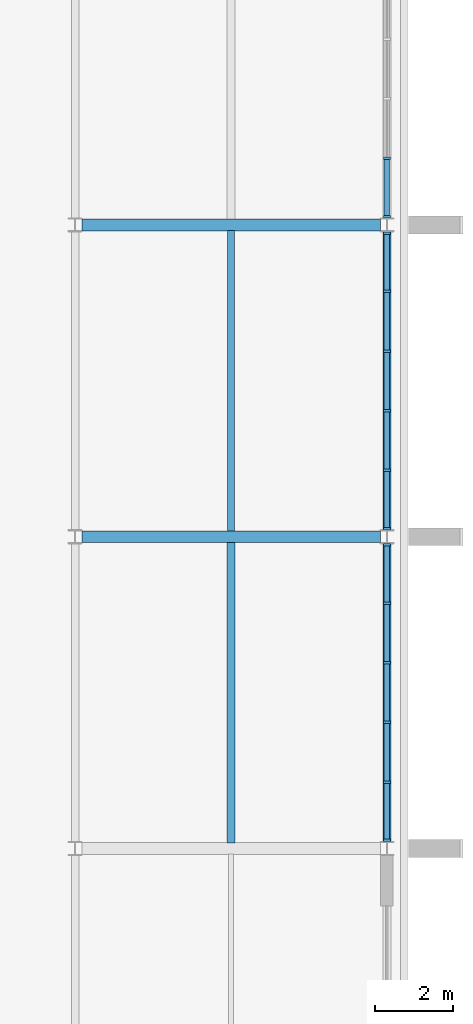
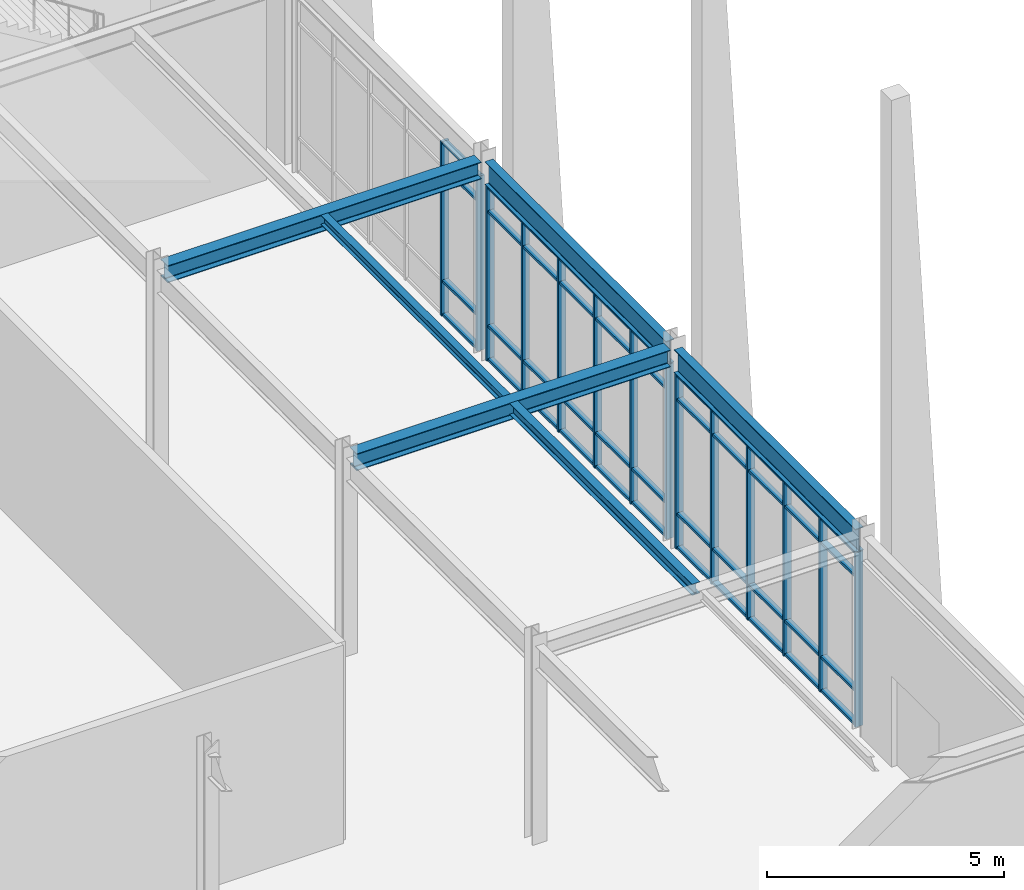
# One storey, part 49 of 119: 58 members, 6 beams, 3 elements without a shape of their own.
"""IFC4 building model written with IfcOpenShell, lengths in metres."""

from ifc_helpers import new_model, si_unit, direction, frame, origin, origin_2d, place, context, subcontext, project, spatial, rectangle, i_section, extrude, material, material_profile, profile_set, type_object, element, aggregate, save


model = new_model("IFC4")

# Units and contexts
model_context = context("Model", 3, precision=1e-05, world=origin(), true_north=direction((0.0, 1.0)))
body_context = subcontext(model_context, "Body", "Model", "MODEL_VIEW")
ifc_project = project(units=[si_unit("LENGTHUNIT", "METRE"), si_unit("AREAUNIT", "SQUARE_METRE"), si_unit("VOLUMEUNIT", "CUBIC_METRE"), si_unit("PLANEANGLEUNIT", "RADIAN"), si_unit("MASSUNIT", "GRAM", prefix="KILO")], contexts=[model_context])

# Site, building, storey
site_placement = place(None, origin())
site = spatial("IfcSite", under=ifc_project, at=site_placement, CompositionType="ELEMENT")
building_placement = place(site_placement, origin())
building = spatial("IfcBuilding", under=site, at=building_placement, Name="Zhaolan Boulevard Law Courts", CompositionType="ELEMENT")
storey_placement = place(building_placement, origin())
storey = spatial("IfcBuildingStorey", under=building, at=storey_placement, Name="L00", CompositionType="ELEMENT", Elevation=0.0)

# Curtain wall, members
ifc_material_1 = material(Name="Thermally broken aluminium and low-E glazing", Category="aluminium")
curtain_wall_type_1 = type_object("IfcCurtainWallType", Name="CURTAIN WALL M9", PredefinedType="USERDEFINED", material=ifc_material_1)
curtain_wall_1_placement = place(storey_placement, origin())
curtain_wall_1 = element("IfcCurtainWall", 1, at=curtain_wall_1_placement, inside=storey, type_object=curtain_wall_type_1, Name="Curtain Wall CW-L00-009", ObjectType="CURTAIN WALL", PredefinedType="USERDEFINED")
ifc_material_2 = material(Name="Fluorocarbon-coated aluminium 6063-T6", Category="aluminium")
ifc_material_profile_1 = material_profile(ifc_material_2, rectangle(XDim=0.179931640625, YDim=0.06494140625, at=origin_2d()), Name="AL65x180")
ifc_profile_set_1 = profile_set([ifc_material_profile_1], Name="Fluorocarbon-coated aluminium 6063-T6")
member_type_1 = type_object("IfcMemberType", Name="CWMULLION 65X180", PredefinedType="MULLION", material=ifc_profile_set_1)
member_1_placement = place(storey_placement, frame((164.0, 14.20947265625, 0.0), z_axis=(0.0, 0.0, 1.0), x_axis=(-1.0, 0.0, 0.0)))
member_1 = element("IfcMember", 2, at=member_1_placement, type_object=member_type_1, Name="CW-L00-009 mullion 1", PredefinedType="MULLION", context=body_context, shape_type="SweptSolid", body=[
    extrude(rectangle(XDim=0.179931640625, YDim=0.06494140625, at=origin_2d()), origin(), (0.0, 0.0, 1.0), 4.5029296875),
])
member_2_placement = place(storey_placement, frame((164.0, 15.706298828125, 0.0), z_axis=(0.0, 0.0, 1.0), x_axis=(-1.0, 0.0, 0.0)))
member_2 = element("IfcMember", 3, at=member_2_placement, type_object=member_type_1, Name="CW-L00-009 mullion 2", PredefinedType="MULLION", context=body_context, shape_type="SweptSolid", body=[
    extrude(rectangle(XDim=0.179931640625, YDim=0.06494140625, at=origin_2d()), origin(), (0.0, 0.0, 1.0), 4.5029296875),
])
member_3_placement = place(storey_placement, frame((164.0, 17.2353515625, 0.0), z_axis=(0.0, 0.0, 1.0), x_axis=(-1.0, 0.0, 0.0)))
member_3 = element("IfcMember", 4, at=member_3_placement, type_object=member_type_1, Name="CW-L00-009 mullion 3", PredefinedType="MULLION", context=body_context, shape_type="SweptSolid", body=[
    extrude(rectangle(XDim=0.179931640625, YDim=0.06494140625, at=origin_2d()), origin(), (0.0, 0.0, 1.0), 4.5029296875),
])
member_4_placement = place(storey_placement, frame((164.0, 18.7646484375, 0.0), z_axis=(0.0, 0.0, 1.0), x_axis=(-1.0, 0.0, 0.0)))
member_4 = element("IfcMember", 5, at=member_4_placement, type_object=member_type_1, Name="CW-L00-009 mullion 4", PredefinedType="MULLION", context=body_context, shape_type="SweptSolid", body=[
    extrude(rectangle(XDim=0.179931640625, YDim=0.06494140625, at=origin_2d()), origin(), (0.0, 0.0, 1.0), 4.5029296875),
])
member_5_placement = place(storey_placement, frame((164.0, 20.293701171875, 0.0), z_axis=(0.0, 0.0, 1.0), x_axis=(-1.0, 0.0, 0.0)))
member_5 = element("IfcMember", 6, at=member_5_placement, type_object=member_type_1, Name="CW-L00-009 mullion 5", PredefinedType="MULLION", context=body_context, shape_type="SweptSolid", body=[
    extrude(rectangle(XDim=0.179931640625, YDim=0.06494140625, at=origin_2d()), origin(), (0.0, 0.0, 1.0), 4.5029296875),
])
member_6_placement = place(storey_placement, frame((164.0, 21.79052734375, 0.0), z_axis=(0.0, 0.0, 1.0), x_axis=(-1.0, 0.0, 0.0)))
member_6 = element("IfcMember", 7, at=member_6_placement, type_object=member_type_1, Name="CW-L00-009 mullion 6", PredefinedType="MULLION", context=body_context, shape_type="SweptSolid", body=[
    extrude(rectangle(XDim=0.179931640625, YDim=0.06494140625, at=origin_2d()), origin(), (0.0, 0.0, 1.0), 4.5029296875),
])

ifc_material_3 = material(Name="Thermally broken aluminium and low-E glazing", Category="aluminium")
curtain_wall_type_2 = type_object("IfcCurtainWallType", Name="CURTAIN WALL M10", PredefinedType="USERDEFINED", material=ifc_material_3)
curtain_wall_2_placement = place(storey_placement, origin())
curtain_wall_2 = element("IfcCurtainWall", 8, at=curtain_wall_2_placement, inside=storey, type_object=curtain_wall_type_2, Name="Curtain Wall CW-L00-010", ObjectType="CURTAIN WALL", PredefinedType="USERDEFINED")
member_7_placement = place(storey_placement, frame((164.0, 22.20947265625, 0.0), z_axis=(0.0, 0.0, 1.0), x_axis=(-1.0, 0.0, 0.0)))
member_7 = element("IfcMember", 9, at=member_7_placement, type_object=member_type_1, Name="CW-L00-010 mullion 1", PredefinedType="MULLION", context=body_context, shape_type="SweptSolid", body=[
    extrude(rectangle(XDim=0.179931640625, YDim=0.06494140625, at=origin_2d()), origin(), (0.0, 0.0, 1.0), 4.5029296875),
])
member_8_placement = place(storey_placement, frame((164.0, 23.706298828125, 0.0), z_axis=(0.0, 0.0, 1.0), x_axis=(-1.0, 0.0, 0.0)))
member_8 = element("IfcMember", 10, at=member_8_placement, type_object=member_type_1, Name="CW-L00-010 mullion 2", PredefinedType="MULLION", context=body_context, shape_type="SweptSolid", body=[
    extrude(rectangle(XDim=0.179931640625, YDim=0.06494140625, at=origin_2d()), origin(), (0.0, 0.0, 1.0), 4.5029296875),
])
member_9_placement = place(storey_placement, frame((164.0, 25.2353515625, 0.0), z_axis=(0.0, 0.0, 1.0), x_axis=(-1.0, 0.0, 0.0)))
member_9 = element("IfcMember", 11, at=member_9_placement, type_object=member_type_1, Name="CW-L00-010 mullion 3", PredefinedType="MULLION", context=body_context, shape_type="SweptSolid", body=[
    extrude(rectangle(XDim=0.179931640625, YDim=0.06494140625, at=origin_2d()), origin(), (0.0, 0.0, 1.0), 4.5029296875),
])
member_10_placement = place(storey_placement, frame((164.0, 26.7646484375, 0.0), z_axis=(0.0, 0.0, 1.0), x_axis=(-1.0, 0.0, 0.0)))
member_10 = element("IfcMember", 12, at=member_10_placement, type_object=member_type_1, Name="CW-L00-010 mullion 4", PredefinedType="MULLION", context=body_context, shape_type="SweptSolid", body=[
    extrude(rectangle(XDim=0.179931640625, YDim=0.06494140625, at=origin_2d()), origin(), (0.0, 0.0, 1.0), 4.5029296875),
])
member_11_placement = place(storey_placement, frame((164.0, 28.293701171875, 0.0), z_axis=(0.0, 0.0, 1.0), x_axis=(-1.0, 0.0, 0.0)))
member_11 = element("IfcMember", 13, at=member_11_placement, type_object=member_type_1, Name="CW-L00-010 mullion 5", PredefinedType="MULLION", context=body_context, shape_type="SweptSolid", body=[
    extrude(rectangle(XDim=0.179931640625, YDim=0.06494140625, at=origin_2d()), origin(), (0.0, 0.0, 1.0), 4.5029296875),
])
member_12_placement = place(storey_placement, frame((164.0, 29.79052734375, 0.0), z_axis=(0.0, 0.0, 1.0), x_axis=(-1.0, 0.0, 0.0)))
member_12 = element("IfcMember", 14, at=member_12_placement, type_object=member_type_1, Name="CW-L00-010 mullion 6", PredefinedType="MULLION", context=body_context, shape_type="SweptSolid", body=[
    extrude(rectangle(XDim=0.179931640625, YDim=0.06494140625, at=origin_2d()), origin(), (0.0, 0.0, 1.0), 4.5029296875),
])

ifc_material_4 = material(Name="Thermally broken aluminium and low-E glazing", Category="aluminium")
curtain_wall_type_3 = type_object("IfcCurtainWallType", Name="CURTAIN WALL M11", PredefinedType="USERDEFINED", material=ifc_material_4)
curtain_wall_3_placement = place(storey_placement, origin())
curtain_wall_3 = element("IfcCurtainWall", 15, at=curtain_wall_3_placement, inside=storey, type_object=curtain_wall_type_3, Name="Curtain Wall CW-L00-011", ObjectType="CURTAIN WALL", PredefinedType="USERDEFINED")
member_13_placement = place(storey_placement, frame((164.0, 30.20947265625, 0.0), z_axis=(0.0, 0.0, 1.0), x_axis=(-1.0, 0.0, 0.0)))
member_13 = element("IfcMember", 16, at=member_13_placement, type_object=member_type_1, Name="CW-L00-011 mullion 1", PredefinedType="MULLION", context=body_context, shape_type="SweptSolid", body=[
    extrude(rectangle(XDim=0.179931640625, YDim=0.06494140625, at=origin_2d()), origin(), (0.0, 0.0, 1.0), 4.5029296875),
])
member_14_placement = place(storey_placement, frame((164.0, 31.706298828125, 0.0), z_axis=(0.0, 0.0, 1.0), x_axis=(-1.0, 0.0, 0.0)))
member_14 = element("IfcMember", 17, at=member_14_placement, type_object=member_type_1, Name="CW-L00-011 mullion 2", PredefinedType="MULLION", context=body_context, shape_type="SweptSolid", body=[
    extrude(rectangle(XDim=0.179931640625, YDim=0.06494140625, at=origin_2d()), origin(), (0.0, 0.0, 1.0), 4.5029296875),
])

# Member
ifc_material_5 = material(Name="Fluorocarbon-coated aluminium 6063-T6", Category="aluminium")
ifc_material_profile_2 = material_profile(ifc_material_5, rectangle(XDim=0.139892578125, YDim=0.06494140625, at=origin_2d()), Name="AL65x140")
ifc_profile_set_2 = profile_set([ifc_material_profile_2], Name="Fluorocarbon-coated aluminium 6063-T6")
member_type_2 = type_object("IfcMemberType", Name="CWTRANSOM 65X140", PredefinedType="USERDEFINED", material=ifc_profile_set_2)
member_15_placement = place(storey_placement, frame((164.0, 14.241943359375, 0.032470703125), z_axis=(0.0, 1.0, 0.0), x_axis=(-1.0, 0.0, 0.0)))
member_15 = element("IfcMember", 18, at=member_15_placement, type_object=member_type_2, Name="CW-L00-009 transom 1.1", ObjectType="TRANSOM", PredefinedType="USERDEFINED", context=body_context, shape_type="SweptSolid", body=[
    extrude(rectangle(XDim=0.139892578125, YDim=0.06494140625, at=origin_2d()), origin(), (0.0, 0.0, 1.0), 1.431640625),
])

member_16_placement = place(storey_placement, frame((164.0, 14.241943359375, 0.89990234375), z_axis=(0.0, 1.0, 0.0), x_axis=(-1.0, 0.0, 0.0)))
member_16 = element("IfcMember", 19, at=member_16_placement, type_object=member_type_2, Name="CW-L00-009 transom 1.2", ObjectType="TRANSOM", PredefinedType="USERDEFINED", context=body_context, shape_type="SweptSolid", body=[
    extrude(rectangle(XDim=0.139892578125, YDim=0.06494140625, at=origin_2d()), origin(), (0.0, 0.0, 1.0), 1.431640625),
])

member_17_placement = place(storey_placement, frame((164.0, 14.241943359375, 3.85302734375), z_axis=(0.0, 1.0, 0.0), x_axis=(-1.0, 0.0, 0.0)))
member_17 = element("IfcMember", 20, at=member_17_placement, type_object=member_type_2, Name="CW-L00-009 transom 1.3", ObjectType="TRANSOM", PredefinedType="USERDEFINED", context=body_context, shape_type="SweptSolid", body=[
    extrude(rectangle(XDim=0.139892578125, YDim=0.06494140625, at=origin_2d()), origin(), (0.0, 0.0, 1.0), 1.431640625),
])

member_18_placement = place(storey_placement, frame((164.0, 14.241943359375, 4.470458984375), z_axis=(0.0, 1.0, 0.0), x_axis=(-1.0, 0.0, 0.0)))
member_18 = element("IfcMember", 21, at=member_18_placement, type_object=member_type_2, Name="CW-L00-009 transom 1.4", ObjectType="TRANSOM", PredefinedType="USERDEFINED", context=body_context, shape_type="SweptSolid", body=[
    extrude(rectangle(XDim=0.139892578125, YDim=0.06494140625, at=origin_2d()), origin(), (0.0, 0.0, 1.0), 1.431640625),
])

member_19_placement = place(storey_placement, frame((164.0, 15.73876953125, 0.032470703125), z_axis=(0.0, 1.0, 0.0), x_axis=(-1.0, 0.0, 0.0)))
member_19 = element("IfcMember", 22, at=member_19_placement, type_object=member_type_2, Name="CW-L00-009 transom 2.1", ObjectType="TRANSOM", PredefinedType="USERDEFINED", context=body_context, shape_type="SweptSolid", body=[
    extrude(rectangle(XDim=0.139892578125, YDim=0.06494140625, at=origin_2d()), origin(), (0.0, 0.0, 1.0), 1.464111328125),
])

member_20_placement = place(storey_placement, frame((164.0, 15.73876953125, 0.89990234375), z_axis=(0.0, 1.0, 0.0), x_axis=(-1.0, 0.0, 0.0)))
member_20 = element("IfcMember", 23, at=member_20_placement, type_object=member_type_2, Name="CW-L00-009 transom 2.2", ObjectType="TRANSOM", PredefinedType="USERDEFINED", context=body_context, shape_type="SweptSolid", body=[
    extrude(rectangle(XDim=0.139892578125, YDim=0.06494140625, at=origin_2d()), origin(), (0.0, 0.0, 1.0), 1.464111328125),
])

member_21_placement = place(storey_placement, frame((164.0, 15.73876953125, 3.85302734375), z_axis=(0.0, 1.0, 0.0), x_axis=(-1.0, 0.0, 0.0)))
member_21 = element("IfcMember", 24, at=member_21_placement, type_object=member_type_2, Name="CW-L00-009 transom 2.3", ObjectType="TRANSOM", PredefinedType="USERDEFINED", context=body_context, shape_type="SweptSolid", body=[
    extrude(rectangle(XDim=0.139892578125, YDim=0.06494140625, at=origin_2d()), origin(), (0.0, 0.0, 1.0), 1.464111328125),
])

member_22_placement = place(storey_placement, frame((164.0, 15.73876953125, 4.470458984375), z_axis=(0.0, 1.0, 0.0), x_axis=(-1.0, 0.0, 0.0)))
member_22 = element("IfcMember", 25, at=member_22_placement, type_object=member_type_2, Name="CW-L00-009 transom 2.4", ObjectType="TRANSOM", PredefinedType="USERDEFINED", context=body_context, shape_type="SweptSolid", body=[
    extrude(rectangle(XDim=0.139892578125, YDim=0.06494140625, at=origin_2d()), origin(), (0.0, 0.0, 1.0), 1.464111328125),
])

member_23_placement = place(storey_placement, frame((164.0, 17.267822265625, 0.032470703125), z_axis=(0.0, 1.0, 0.0), x_axis=(-1.0, 0.0, 0.0)))
member_23 = element("IfcMember", 26, at=member_23_placement, type_object=member_type_2, Name="CW-L00-009 transom 3.1", ObjectType="TRANSOM", PredefinedType="USERDEFINED", context=body_context, shape_type="SweptSolid", body=[
    extrude(rectangle(XDim=0.139892578125, YDim=0.06494140625, at=origin_2d()), origin(), (0.0, 0.0, 1.0), 1.46435546875),
])

member_24_placement = place(storey_placement, frame((164.0, 17.267822265625, 0.89990234375), z_axis=(0.0, 1.0, 0.0), x_axis=(-1.0, 0.0, 0.0)))
member_24 = element("IfcMember", 27, at=member_24_placement, type_object=member_type_2, Name="CW-L00-009 transom 3.2", ObjectType="TRANSOM", PredefinedType="USERDEFINED", context=body_context, shape_type="SweptSolid", body=[
    extrude(rectangle(XDim=0.139892578125, YDim=0.06494140625, at=origin_2d()), origin(), (0.0, 0.0, 1.0), 1.46435546875),
])

member_25_placement = place(storey_placement, frame((164.0, 17.267822265625, 3.85302734375), z_axis=(0.0, 1.0, 0.0), x_axis=(-1.0, 0.0, 0.0)))
member_25 = element("IfcMember", 28, at=member_25_placement, type_object=member_type_2, Name="CW-L00-009 transom 3.3", ObjectType="TRANSOM", PredefinedType="USERDEFINED", context=body_context, shape_type="SweptSolid", body=[
    extrude(rectangle(XDim=0.139892578125, YDim=0.06494140625, at=origin_2d()), origin(), (0.0, 0.0, 1.0), 1.46435546875),
])

member_26_placement = place(storey_placement, frame((164.0, 17.267822265625, 4.470458984375), z_axis=(0.0, 1.0, 0.0), x_axis=(-1.0, 0.0, 0.0)))
member_26 = element("IfcMember", 29, at=member_26_placement, type_object=member_type_2, Name="CW-L00-009 transom 3.4", ObjectType="TRANSOM", PredefinedType="USERDEFINED", context=body_context, shape_type="SweptSolid", body=[
    extrude(rectangle(XDim=0.139892578125, YDim=0.06494140625, at=origin_2d()), origin(), (0.0, 0.0, 1.0), 1.46435546875),
])

member_27_placement = place(storey_placement, frame((164.0, 18.797119140625, 0.032470703125), z_axis=(0.0, 1.0, 0.0), x_axis=(-1.0, 0.0, 0.0)))
member_27 = element("IfcMember", 30, at=member_27_placement, type_object=member_type_2, Name="CW-L00-009 transom 4.1", ObjectType="TRANSOM", PredefinedType="USERDEFINED", context=body_context, shape_type="SweptSolid", body=[
    extrude(rectangle(XDim=0.139892578125, YDim=0.06494140625, at=origin_2d()), origin(), (0.0, 0.0, 1.0), 1.464111328125),
])

member_28_placement = place(storey_placement, frame((164.0, 18.797119140625, 0.89990234375), z_axis=(0.0, 1.0, 0.0), x_axis=(-1.0, 0.0, 0.0)))
member_28 = element("IfcMember", 31, at=member_28_placement, type_object=member_type_2, Name="CW-L00-009 transom 4.2", ObjectType="TRANSOM", PredefinedType="USERDEFINED", context=body_context, shape_type="SweptSolid", body=[
    extrude(rectangle(XDim=0.139892578125, YDim=0.06494140625, at=origin_2d()), origin(), (0.0, 0.0, 1.0), 1.464111328125),
])

member_29_placement = place(storey_placement, frame((164.0, 18.797119140625, 3.85302734375), z_axis=(0.0, 1.0, 0.0), x_axis=(-1.0, 0.0, 0.0)))
member_29 = element("IfcMember", 32, at=member_29_placement, type_object=member_type_2, Name="CW-L00-009 transom 4.3", ObjectType="TRANSOM", PredefinedType="USERDEFINED", context=body_context, shape_type="SweptSolid", body=[
    extrude(rectangle(XDim=0.139892578125, YDim=0.06494140625, at=origin_2d()), origin(), (0.0, 0.0, 1.0), 1.464111328125),
])

member_30_placement = place(storey_placement, frame((164.0, 18.797119140625, 4.470458984375), z_axis=(0.0, 1.0, 0.0), x_axis=(-1.0, 0.0, 0.0)))
member_30 = element("IfcMember", 33, at=member_30_placement, type_object=member_type_2, Name="CW-L00-009 transom 4.4", ObjectType="TRANSOM", PredefinedType="USERDEFINED", context=body_context, shape_type="SweptSolid", body=[
    extrude(rectangle(XDim=0.139892578125, YDim=0.06494140625, at=origin_2d()), origin(), (0.0, 0.0, 1.0), 1.464111328125),
])

member_31_placement = place(storey_placement, frame((164.0, 20.326416015625, 0.032470703125), z_axis=(0.0, 1.0, 0.0), x_axis=(-1.0, 0.0, 0.0)))
member_31 = element("IfcMember", 34, at=member_31_placement, type_object=member_type_2, Name="CW-L00-009 transom 5.1", ObjectType="TRANSOM", PredefinedType="USERDEFINED", context=body_context, shape_type="SweptSolid", body=[
    extrude(rectangle(XDim=0.139892578125, YDim=0.06494140625, at=origin_2d()), origin(), (0.0, 0.0, 1.0), 1.431640625),
])

member_32_placement = place(storey_placement, frame((164.0, 20.326416015625, 0.89990234375), z_axis=(0.0, 1.0, 0.0), x_axis=(-1.0, 0.0, 0.0)))
member_32 = element("IfcMember", 35, at=member_32_placement, type_object=member_type_2, Name="CW-L00-009 transom 5.2", ObjectType="TRANSOM", PredefinedType="USERDEFINED", context=body_context, shape_type="SweptSolid", body=[
    extrude(rectangle(XDim=0.139892578125, YDim=0.06494140625, at=origin_2d()), origin(), (0.0, 0.0, 1.0), 1.431640625),
])

member_33_placement = place(storey_placement, frame((164.0, 20.326416015625, 3.85302734375), z_axis=(0.0, 1.0, 0.0), x_axis=(-1.0, 0.0, 0.0)))
member_33 = element("IfcMember", 36, at=member_33_placement, type_object=member_type_2, Name="CW-L00-009 transom 5.3", ObjectType="TRANSOM", PredefinedType="USERDEFINED", context=body_context, shape_type="SweptSolid", body=[
    extrude(rectangle(XDim=0.139892578125, YDim=0.06494140625, at=origin_2d()), origin(), (0.0, 0.0, 1.0), 1.431640625),
])

member_34_placement = place(storey_placement, frame((164.0, 20.326416015625, 4.470458984375), z_axis=(0.0, 1.0, 0.0), x_axis=(-1.0, 0.0, 0.0)))
member_34 = element("IfcMember", 37, at=member_34_placement, type_object=member_type_2, Name="CW-L00-009 transom 5.4", ObjectType="TRANSOM", PredefinedType="USERDEFINED", context=body_context, shape_type="SweptSolid", body=[
    extrude(rectangle(XDim=0.139892578125, YDim=0.06494140625, at=origin_2d()), origin(), (0.0, 0.0, 1.0), 1.431640625),
])

aggregate(curtain_wall_1, [member_1, member_2, member_3, member_4, member_5, member_6, member_15, member_16, member_17, member_18, member_19, member_20, member_21, member_22, member_23, member_24, member_25, member_26, member_27, member_28, member_29, member_30, member_31, member_32, member_33, member_34])

member_35_placement = place(storey_placement, frame((164.0, 22.241943359375, 0.032470703125), z_axis=(0.0, 1.0, 0.0), x_axis=(-1.0, 0.0, 0.0)))
member_35 = element("IfcMember", 38, at=member_35_placement, type_object=member_type_2, Name="CW-L00-010 transom 1.1", ObjectType="TRANSOM", PredefinedType="USERDEFINED", context=body_context, shape_type="SweptSolid", body=[
    extrude(rectangle(XDim=0.139892578125, YDim=0.06494140625, at=origin_2d()), origin(), (0.0, 0.0, 1.0), 1.431640625),
])

member_36_placement = place(storey_placement, frame((164.0, 22.241943359375, 0.89990234375), z_axis=(0.0, 1.0, 0.0), x_axis=(-1.0, 0.0, 0.0)))
member_36 = element("IfcMember", 39, at=member_36_placement, type_object=member_type_2, Name="CW-L00-010 transom 1.2", ObjectType="TRANSOM", PredefinedType="USERDEFINED", context=body_context, shape_type="SweptSolid", body=[
    extrude(rectangle(XDim=0.139892578125, YDim=0.06494140625, at=origin_2d()), origin(), (0.0, 0.0, 1.0), 1.431640625),
])

member_37_placement = place(storey_placement, frame((164.0, 22.241943359375, 3.85302734375), z_axis=(0.0, 1.0, 0.0), x_axis=(-1.0, 0.0, 0.0)))
member_37 = element("IfcMember", 40, at=member_37_placement, type_object=member_type_2, Name="CW-L00-010 transom 1.3", ObjectType="TRANSOM", PredefinedType="USERDEFINED", context=body_context, shape_type="SweptSolid", body=[
    extrude(rectangle(XDim=0.139892578125, YDim=0.06494140625, at=origin_2d()), origin(), (0.0, 0.0, 1.0), 1.431640625),
])

member_38_placement = place(storey_placement, frame((164.0, 22.241943359375, 4.470458984375), z_axis=(0.0, 1.0, 0.0), x_axis=(-1.0, 0.0, 0.0)))
member_38 = element("IfcMember", 41, at=member_38_placement, type_object=member_type_2, Name="CW-L00-010 transom 1.4", ObjectType="TRANSOM", PredefinedType="USERDEFINED", context=body_context, shape_type="SweptSolid", body=[
    extrude(rectangle(XDim=0.139892578125, YDim=0.06494140625, at=origin_2d()), origin(), (0.0, 0.0, 1.0), 1.431640625),
])

member_39_placement = place(storey_placement, frame((164.0, 23.73876953125, 0.032470703125), z_axis=(0.0, 1.0, 0.0), x_axis=(-1.0, 0.0, 0.0)))
member_39 = element("IfcMember", 42, at=member_39_placement, type_object=member_type_2, Name="CW-L00-010 transom 2.1", ObjectType="TRANSOM", PredefinedType="USERDEFINED", context=body_context, shape_type="SweptSolid", body=[
    extrude(rectangle(XDim=0.139892578125, YDim=0.06494140625, at=origin_2d()), origin(), (0.0, 0.0, 1.0), 1.464111328125),
])

member_40_placement = place(storey_placement, frame((164.0, 23.73876953125, 0.89990234375), z_axis=(0.0, 1.0, 0.0), x_axis=(-1.0, 0.0, 0.0)))
member_40 = element("IfcMember", 43, at=member_40_placement, type_object=member_type_2, Name="CW-L00-010 transom 2.2", ObjectType="TRANSOM", PredefinedType="USERDEFINED", context=body_context, shape_type="SweptSolid", body=[
    extrude(rectangle(XDim=0.139892578125, YDim=0.06494140625, at=origin_2d()), origin(), (0.0, 0.0, 1.0), 1.464111328125),
])

member_41_placement = place(storey_placement, frame((164.0, 23.73876953125, 3.85302734375), z_axis=(0.0, 1.0, 0.0), x_axis=(-1.0, 0.0, 0.0)))
member_41 = element("IfcMember", 44, at=member_41_placement, type_object=member_type_2, Name="CW-L00-010 transom 2.3", ObjectType="TRANSOM", PredefinedType="USERDEFINED", context=body_context, shape_type="SweptSolid", body=[
    extrude(rectangle(XDim=0.139892578125, YDim=0.06494140625, at=origin_2d()), origin(), (0.0, 0.0, 1.0), 1.464111328125),
])

member_42_placement = place(storey_placement, frame((164.0, 23.73876953125, 4.470458984375), z_axis=(0.0, 1.0, 0.0), x_axis=(-1.0, 0.0, 0.0)))
member_42 = element("IfcMember", 45, at=member_42_placement, type_object=member_type_2, Name="CW-L00-010 transom 2.4", ObjectType="TRANSOM", PredefinedType="USERDEFINED", context=body_context, shape_type="SweptSolid", body=[
    extrude(rectangle(XDim=0.139892578125, YDim=0.06494140625, at=origin_2d()), origin(), (0.0, 0.0, 1.0), 1.464111328125),
])

member_43_placement = place(storey_placement, frame((164.0, 25.267822265625, 0.032470703125), z_axis=(0.0, 1.0, 0.0), x_axis=(-1.0, 0.0, 0.0)))
member_43 = element("IfcMember", 46, at=member_43_placement, type_object=member_type_2, Name="CW-L00-010 transom 3.1", ObjectType="TRANSOM", PredefinedType="USERDEFINED", context=body_context, shape_type="SweptSolid", body=[
    extrude(rectangle(XDim=0.139892578125, YDim=0.06494140625, at=origin_2d()), origin(), (0.0, 0.0, 1.0), 1.46435546875),
])

member_44_placement = place(storey_placement, frame((164.0, 25.267822265625, 0.89990234375), z_axis=(0.0, 1.0, 0.0), x_axis=(-1.0, 0.0, 0.0)))
member_44 = element("IfcMember", 47, at=member_44_placement, type_object=member_type_2, Name="CW-L00-010 transom 3.2", ObjectType="TRANSOM", PredefinedType="USERDEFINED", context=body_context, shape_type="SweptSolid", body=[
    extrude(rectangle(XDim=0.139892578125, YDim=0.06494140625, at=origin_2d()), origin(), (0.0, 0.0, 1.0), 1.46435546875),
])

member_45_placement = place(storey_placement, frame((164.0, 25.267822265625, 3.85302734375), z_axis=(0.0, 1.0, 0.0), x_axis=(-1.0, 0.0, 0.0)))
member_45 = element("IfcMember", 48, at=member_45_placement, type_object=member_type_2, Name="CW-L00-010 transom 3.3", ObjectType="TRANSOM", PredefinedType="USERDEFINED", context=body_context, shape_type="SweptSolid", body=[
    extrude(rectangle(XDim=0.139892578125, YDim=0.06494140625, at=origin_2d()), origin(), (0.0, 0.0, 1.0), 1.46435546875),
])

member_46_placement = place(storey_placement, frame((164.0, 25.267822265625, 4.470458984375), z_axis=(0.0, 1.0, 0.0), x_axis=(-1.0, 0.0, 0.0)))
member_46 = element("IfcMember", 49, at=member_46_placement, type_object=member_type_2, Name="CW-L00-010 transom 3.4", ObjectType="TRANSOM", PredefinedType="USERDEFINED", context=body_context, shape_type="SweptSolid", body=[
    extrude(rectangle(XDim=0.139892578125, YDim=0.06494140625, at=origin_2d()), origin(), (0.0, 0.0, 1.0), 1.46435546875),
])

member_47_placement = place(storey_placement, frame((164.0, 26.797119140625, 0.032470703125), z_axis=(0.0, 1.0, 0.0), x_axis=(-1.0, 0.0, 0.0)))
member_47 = element("IfcMember", 50, at=member_47_placement, type_object=member_type_2, Name="CW-L00-010 transom 4.1", ObjectType="TRANSOM", PredefinedType="USERDEFINED", context=body_context, shape_type="SweptSolid", body=[
    extrude(rectangle(XDim=0.139892578125, YDim=0.06494140625, at=origin_2d()), origin(), (0.0, 0.0, 1.0), 1.464111328125),
])

member_48_placement = place(storey_placement, frame((164.0, 26.797119140625, 0.89990234375), z_axis=(0.0, 1.0, 0.0), x_axis=(-1.0, 0.0, 0.0)))
member_48 = element("IfcMember", 51, at=member_48_placement, type_object=member_type_2, Name="CW-L00-010 transom 4.2", ObjectType="TRANSOM", PredefinedType="USERDEFINED", context=body_context, shape_type="SweptSolid", body=[
    extrude(rectangle(XDim=0.139892578125, YDim=0.06494140625, at=origin_2d()), origin(), (0.0, 0.0, 1.0), 1.464111328125),
])

member_49_placement = place(storey_placement, frame((164.0, 26.797119140625, 3.85302734375), z_axis=(0.0, 1.0, 0.0), x_axis=(-1.0, 0.0, 0.0)))
member_49 = element("IfcMember", 52, at=member_49_placement, type_object=member_type_2, Name="CW-L00-010 transom 4.3", ObjectType="TRANSOM", PredefinedType="USERDEFINED", context=body_context, shape_type="SweptSolid", body=[
    extrude(rectangle(XDim=0.139892578125, YDim=0.06494140625, at=origin_2d()), origin(), (0.0, 0.0, 1.0), 1.464111328125),
])

member_50_placement = place(storey_placement, frame((164.0, 26.797119140625, 4.470458984375), z_axis=(0.0, 1.0, 0.0), x_axis=(-1.0, 0.0, 0.0)))
member_50 = element("IfcMember", 53, at=member_50_placement, type_object=member_type_2, Name="CW-L00-010 transom 4.4", ObjectType="TRANSOM", PredefinedType="USERDEFINED", context=body_context, shape_type="SweptSolid", body=[
    extrude(rectangle(XDim=0.139892578125, YDim=0.06494140625, at=origin_2d()), origin(), (0.0, 0.0, 1.0), 1.464111328125),
])

member_51_placement = place(storey_placement, frame((164.0, 28.326416015625, 0.032470703125), z_axis=(0.0, 1.0, 0.0), x_axis=(-1.0, 0.0, 0.0)))
member_51 = element("IfcMember", 54, at=member_51_placement, type_object=member_type_2, Name="CW-L00-010 transom 5.1", ObjectType="TRANSOM", PredefinedType="USERDEFINED", context=body_context, shape_type="SweptSolid", body=[
    extrude(rectangle(XDim=0.139892578125, YDim=0.06494140625, at=origin_2d()), origin(), (0.0, 0.0, 1.0), 1.431640625),
])

member_52_placement = place(storey_placement, frame((164.0, 28.326416015625, 0.89990234375), z_axis=(0.0, 1.0, 0.0), x_axis=(-1.0, 0.0, 0.0)))
member_52 = element("IfcMember", 55, at=member_52_placement, type_object=member_type_2, Name="CW-L00-010 transom 5.2", ObjectType="TRANSOM", PredefinedType="USERDEFINED", context=body_context, shape_type="SweptSolid", body=[
    extrude(rectangle(XDim=0.139892578125, YDim=0.06494140625, at=origin_2d()), origin(), (0.0, 0.0, 1.0), 1.431640625),
])

member_53_placement = place(storey_placement, frame((164.0, 28.326416015625, 3.85302734375), z_axis=(0.0, 1.0, 0.0), x_axis=(-1.0, 0.0, 0.0)))
member_53 = element("IfcMember", 56, at=member_53_placement, type_object=member_type_2, Name="CW-L00-010 transom 5.3", ObjectType="TRANSOM", PredefinedType="USERDEFINED", context=body_context, shape_type="SweptSolid", body=[
    extrude(rectangle(XDim=0.139892578125, YDim=0.06494140625, at=origin_2d()), origin(), (0.0, 0.0, 1.0), 1.431640625),
])

member_54_placement = place(storey_placement, frame((164.0, 28.326416015625, 4.470458984375), z_axis=(0.0, 1.0, 0.0), x_axis=(-1.0, 0.0, 0.0)))
member_54 = element("IfcMember", 57, at=member_54_placement, type_object=member_type_2, Name="CW-L00-010 transom 5.4", ObjectType="TRANSOM", PredefinedType="USERDEFINED", context=body_context, shape_type="SweptSolid", body=[
    extrude(rectangle(XDim=0.139892578125, YDim=0.06494140625, at=origin_2d()), origin(), (0.0, 0.0, 1.0), 1.431640625),
])

aggregate(curtain_wall_2, [member_7, member_8, member_9, member_10, member_11, member_12, member_35, member_36, member_37, member_38, member_39, member_40, member_41, member_42, member_43, member_44, member_45, member_46, member_47, member_48, member_49, member_50, member_51, member_52, member_53, member_54])

member_55_placement = place(storey_placement, frame((164.0, 30.241943359375, 0.032470703125), z_axis=(0.0, 1.0, 0.0), x_axis=(-1.0, 0.0, 0.0)))
member_55 = element("IfcMember", 58, at=member_55_placement, type_object=member_type_2, Name="CW-L00-011 transom 1.1", ObjectType="TRANSOM", PredefinedType="USERDEFINED", context=body_context, shape_type="SweptSolid", body=[
    extrude(rectangle(XDim=0.139892578125, YDim=0.06494140625, at=origin_2d()), origin(), (0.0, 0.0, 1.0), 1.431640625),
])

member_56_placement = place(storey_placement, frame((164.0, 30.241943359375, 0.89990234375), z_axis=(0.0, 1.0, 0.0), x_axis=(-1.0, 0.0, 0.0)))
member_56 = element("IfcMember", 59, at=member_56_placement, type_object=member_type_2, Name="CW-L00-011 transom 1.2", ObjectType="TRANSOM", PredefinedType="USERDEFINED", context=body_context, shape_type="SweptSolid", body=[
    extrude(rectangle(XDim=0.139892578125, YDim=0.06494140625, at=origin_2d()), origin(), (0.0, 0.0, 1.0), 1.431640625),
])

member_57_placement = place(storey_placement, frame((164.0, 30.241943359375, 3.85302734375), z_axis=(0.0, 1.0, 0.0), x_axis=(-1.0, 0.0, 0.0)))
member_57 = element("IfcMember", 60, at=member_57_placement, type_object=member_type_2, Name="CW-L00-011 transom 1.3", ObjectType="TRANSOM", PredefinedType="USERDEFINED", context=body_context, shape_type="SweptSolid", body=[
    extrude(rectangle(XDim=0.139892578125, YDim=0.06494140625, at=origin_2d()), origin(), (0.0, 0.0, 1.0), 1.431640625),
])

member_58_placement = place(storey_placement, frame((164.0, 30.241943359375, 4.470458984375), z_axis=(0.0, 1.0, 0.0), x_axis=(-1.0, 0.0, 0.0)))
member_58 = element("IfcMember", 61, at=member_58_placement, type_object=member_type_2, Name="CW-L00-011 transom 1.4", ObjectType="TRANSOM", PredefinedType="USERDEFINED", context=body_context, shape_type="SweptSolid", body=[
    extrude(rectangle(XDim=0.139892578125, YDim=0.06494140625, at=origin_2d()), origin(), (0.0, 0.0, 1.0), 1.431640625),
])

aggregate(curtain_wall_3, [member_13, member_14, member_55, member_56, member_57, member_58])

# Beams
ifc_material_6 = material(Name="Structural steel Q355B", Category="steel")
ifc_material_profile_3 = material_profile(ifc_material_6, i_section(OverallWidth=0.300048828125, OverallDepth=0.43994140625, WebThickness=0.010986328125, FlangeThickness=0.01806640625, FilletRadius=0.02001953125, at=origin_2d()), Name="HM440x300")
ifc_profile_set_3 = profile_set([ifc_material_profile_3], Name="Structural steel Q355B")
beam_type_1 = type_object("IfcBeamType", Name="GIRDER HM440", PredefinedType="BEAM", material=ifc_profile_set_3)
for number, where, z_axis, x_axis, name in (
    (62, (156.1708984375, 22.0, 4.89794921875), (1.0, 0.0, 0.0), (0.0, 1.0, 0.0), "Beam BX-L01-20-21-D"),
    (63, (156.1708984375, 30.0, 4.89794921875), (1.0, 0.0, 0.0), (0.0, 1.0, 0.0), "Beam BX-L01-20-21-E"),
):
    element("IfcBeam", number, at=place(storey_placement, frame(where, z_axis=z_axis, x_axis=x_axis)), inside=storey, type_object=beam_type_1, Name=name, PredefinedType="BEAM", context=body_context, shape_type="SweptSolid", body=[
        extrude(i_section(OverallWidth=0.300048828125, OverallDepth=0.43994140625, WebThickness=0.010986328125, FlangeThickness=0.01806640625, FilletRadius=0.02001953125, at=origin_2d()), origin(), (0.0, 0.0, 1.0), 7.658203125),
    ])
ifc_material_7 = material(Name="Structural steel Q355B", Category="steel")
ifc_material_profile_4 = material_profile(ifc_material_7, i_section(OverallWidth=0.199951171875, OverallDepth=0.60009765625, WebThickness=0.010986328125, FlangeThickness=0.01708984375, FilletRadius=0.02001953125, at=origin_2d()), Name="HN600x200")
ifc_profile_set_4 = profile_set([ifc_material_profile_4], Name="Structural steel Q355B")
beam_type_2 = type_object("IfcBeamType", Name="GIRDER HN600", PredefinedType="BEAM", material=ifc_profile_set_4)
for number, where, z_axis, x_axis, name in (
    (64, (164.0, 14.1708984375, 4.818115234375), (0.0, 1.0, 0.0), (-1.0, 0.0, 0.0), "Beam BY-L01-21-C-D"),
    (65, (164.0, 22.1708984375, 4.818115234375), (0.0, 1.0, 0.0), (-1.0, 0.0, 0.0), "Beam BY-L01-21-D-E"),
):
    element("IfcBeam", number, at=place(storey_placement, frame(where, z_axis=z_axis, x_axis=x_axis)), inside=storey, type_object=beam_type_2, Name=name, PredefinedType="BEAM", context=body_context, shape_type="SweptSolid", body=[
        extrude(i_section(OverallWidth=0.199951171875, OverallDepth=0.60009765625, WebThickness=0.010986328125, FlangeThickness=0.01708984375, FilletRadius=0.02001953125, at=origin_2d()), origin(), (0.0, 0.0, 1.0), 7.658203125),
    ])
ifc_material_8 = material(Name="Structural steel Q355B", Category="steel")
ifc_material_profile_5 = material_profile(ifc_material_8, i_section(OverallWidth=0.175048828125, OverallDepth=0.243896484375, WebThickness=0.007080078125, FlangeThickness=0.010986328125, FilletRadius=0.012939453125, at=origin_2d()), Name="HM244x175")
ifc_profile_set_5 = profile_set([ifc_material_profile_5], Name="Structural steel Q355B")
beam_type_3 = type_object("IfcBeamType", Name="JOIST HM244", PredefinedType="JOIST", material=ifc_profile_set_5)
beam_1_placement = place(storey_placement, frame((160.0, 22.14599609375, 4.99609375), z_axis=(0.0, 1.0, 0.0), x_axis=(-1.0, 0.0, 0.0)))
element("IfcBeam", 66, at=beam_1_placement, inside=storey, type_object=beam_type_3, Name="Composite Joist J-L01-20D", PredefinedType="JOIST", context=body_context, shape_type="SweptSolid", body=[
    extrude(i_section(OverallWidth=0.175048828125, OverallDepth=0.243896484375, WebThickness=0.007080078125, FlangeThickness=0.010986328125, FilletRadius=0.012939453125, at=origin_2d()), origin(), (0.0, 0.0, 1.0), 7.7080078125),
])
ifc_material_9 = material(Name="Structural steel Q355B", Category="steel")
ifc_material_profile_6 = material_profile(ifc_material_9, i_section(OverallWidth=0.199951171875, OverallDepth=0.2939453125, WebThickness=0.008056640625, FlangeThickness=0.011962890625, FilletRadius=0.01611328125, at=origin_2d()), Name="HM294x200")
ifc_profile_set_6 = profile_set([ifc_material_profile_6], Name="Structural steel Q355B")
beam_type_4 = type_object("IfcBeamType", Name="JOIST HM294", PredefinedType="JOIST", material=ifc_profile_set_6)
beam_2_placement = place(storey_placement, frame((160.0, 14.14599609375, 4.970947265625), z_axis=(0.0, 1.0, 0.0), x_axis=(-1.0, 0.0, 0.0)))
element("IfcBeam", 67, at=beam_2_placement, inside=storey, type_object=beam_type_4, Name="Composite Joist J-L01-20C", PredefinedType="JOIST", context=body_context, shape_type="SweptSolid", body=[
    extrude(i_section(OverallWidth=0.199951171875, OverallDepth=0.2939453125, WebThickness=0.008056640625, FlangeThickness=0.011962890625, FilletRadius=0.01611328125, at=origin_2d()), origin(), (0.0, 0.0, 1.0), 7.7080078125),
])

save(model, "model.ifc")
